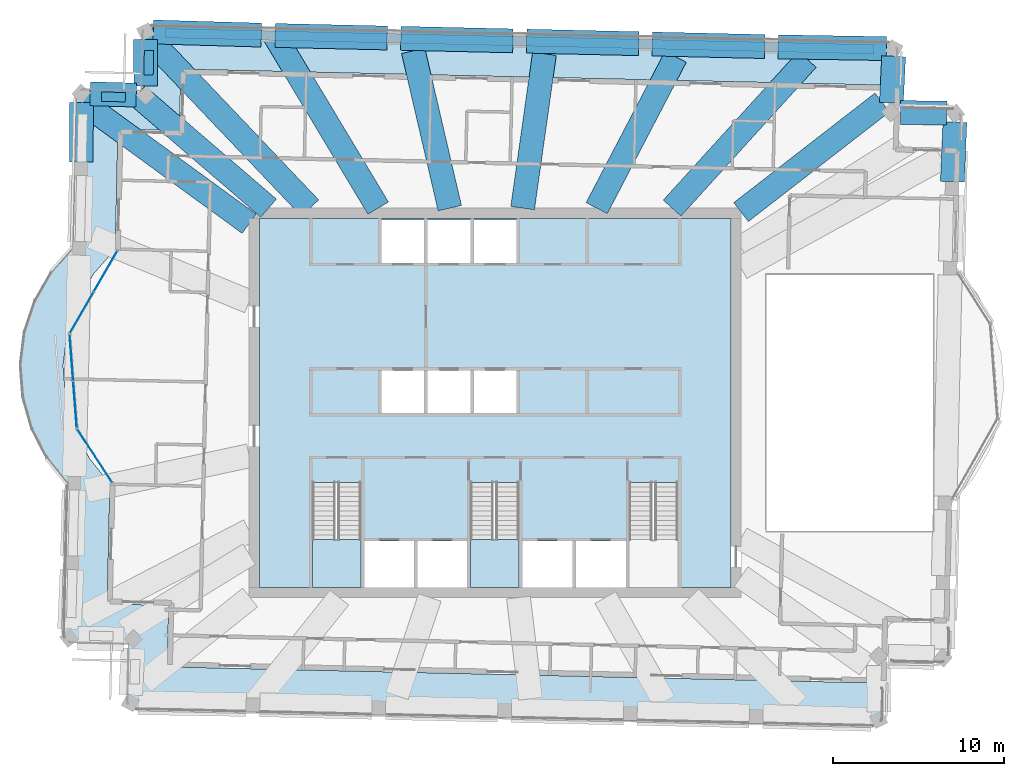
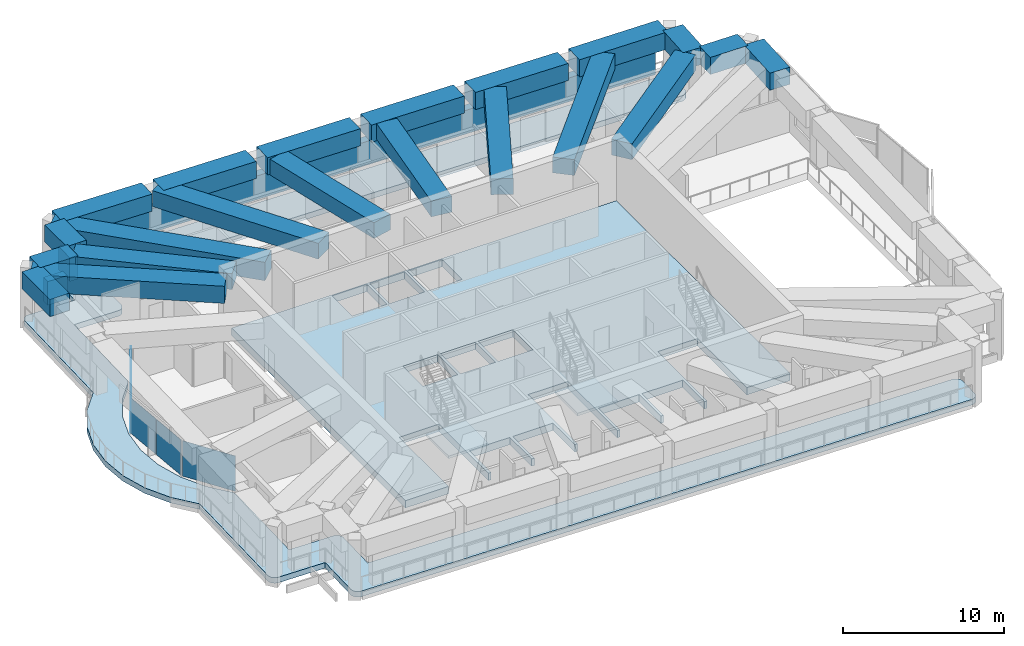
# One storey, part 7 of 19: 21 beams, 5 plates, 4 slabs, 3 members, 5 elements without a shape of their own.
"""IFC4 building model written with IfcOpenShell, lengths in metres."""

from ifc_helpers import new_model, si_unit, direction, frame, origin, origin_2d, place, context, subcontext, project, spatial, polyline, rectangle, outline, extrude, material, layer, layer_set, material_profile, profile_set, type_object, element, aggregate, save


model = new_model("IFC4")

# Units and contexts
model_context = context("Model", 3, precision=1e-05, world=origin(), true_north=direction((0.0, 1.0)))
body_context = subcontext(model_context, "Body", "Model", "MODEL_VIEW")
ifc_project = project(units=[si_unit("LENGTHUNIT", "METRE"), si_unit("AREAUNIT", "SQUARE_METRE"), si_unit("VOLUMEUNIT", "CUBIC_METRE"), si_unit("PLANEANGLEUNIT", "RADIAN"), si_unit("MASSUNIT", "GRAM", prefix="KILO")], contexts=[model_context])

# Site, building, storey
site_placement = place(None, origin())
site = spatial("IfcSite", under=ifc_project, at=site_placement, CompositionType="ELEMENT")
building_placement = place(site_placement, origin())
building = spatial("IfcBuilding", under=site, at=building_placement, Name="Mangrove Gate Tower", CompositionType="ELEMENT")
storey_placement = place(building_placement, frame((0.0, 0.0, 346.10009765625)))
storey = spatial("IfcBuildingStorey", under=building, at=storey_placement, Name="L88", CompositionType="ELEMENT", Elevation=346.10009765625)

# Members
ifc_material_1 = material(Name="Planting on aluminium trellis", Category="aluminium")
ifc_material_profile_1 = material_profile(ifc_material_1, rectangle(XDim=0.550048828125, YDim=1.800048828125, at=origin_2d()))
ifc_profile_set_1 = profile_set([ifc_material_profile_1], Name="Planting on aluminium trellis")
member_type = type_object("IfcMemberType", Name="Roof greenery screen 550x1800", PredefinedType="USERDEFINED", material=ifc_profile_set_1)
member_1_placement = place(storey_placement, frame((-23.035888671875, 17.925048828125, 1.699951171875), z_axis=(0.999750215708, -0.022349635169, 0.0), x_axis=(0.022349635169, 0.999750215708, 0.0)))
element("IfcMember", 1, at=member_1_placement, inside=storey, type_object=member_type, Name="GREEN SCREEN L88 T3.2.6", ObjectType="PLANTING", PredefinedType="USERDEFINED", context=body_context, shape_type="SweptSolid", body=[
    extrude(rectangle(XDim=0.550048828125, YDim=1.800048828125, at=origin_2d()), origin(), (0.0, 0.0, 1.0), 1.38720703125),
])
member_2_placement = place(storey_placement, frame((-20.2919921875, 19.19091796875, 1.699951171875), z_axis=(0.022929749512, 0.99973707873, 0.0), x_axis=(-0.99973707873, 0.022929749512, 0.0)))
element("IfcMember", 2, at=member_2_placement, inside=storey, type_object=member_type, Name="GREEN SCREEN L88 T3.2.9", ObjectType="PLANTING", PredefinedType="USERDEFINED", context=body_context, shape_type="SweptSolid", body=[
    extrude(rectangle(XDim=0.550048828125, YDim=1.800048828125, at=origin_2d()), origin(), (0.0, 0.0, 1.0), 1.4375),
])
member_3_placement = place(storey_placement, frame((-19.301025390625, 21.64208984375, 1.699951171875), z_axis=(0.999742269674, -0.022702295639, 0.0), x_axis=(0.022702295639, 0.999742269674, 0.0)))
element("IfcMember", 3, at=member_3_placement, inside=storey, type_object=member_type, Name="GREEN SCREEN L88 T3.3.6", ObjectType="PLANTING", PredefinedType="USERDEFINED", context=body_context, shape_type="SweptSolid", body=[
    extrude(rectangle(XDim=0.550048828125, YDim=1.800048828125, at=origin_2d()), origin(), (0.0, 0.0, 1.0), 41.499755859375),
])

# Beams
ifc_material_2 = material(Name="Concrete C50/60", Category="concrete")
ifc_material_profile_2 = material_profile(ifc_material_2, rectangle(XDim=1.39990234375, YDim=1.199951171875, at=origin_2d()))
ifc_profile_set_2 = profile_set([ifc_material_profile_2], Name="Concrete C50/60")
beam_type_1 = type_object("IfcBeamType", Name="Transfer girder RC 1400x1200 C50/60", PredefinedType="BEAM", material=ifc_profile_set_2)
beam_1_placement = place(storey_placement, frame((14.39990234375, 11.170166015625, 3.449951171875), z_axis=(0.790143012808, 0.61292252309, 0.0), x_axis=(-0.61292252309, 0.790143012808, 0.0)))
element("IfcBeam", 4, at=beam_1_placement, inside=storey, type_object=beam_type_1, Name="Transfer girder L88 16", PredefinedType="BEAM", context=body_context, shape_type="SweptSolid", body=[
    extrude(rectangle(XDim=1.39990234375, YDim=1.199951171875, at=origin_2d()), origin(), (0.0, 0.0, 1.0), 10.46435546875),
])
beam_2_placement = place(storey_placement, frame((10.35986328125, 11.39990234375, 3.449951171875), z_axis=(0.672544772155, 0.740056436664, 0.0), x_axis=(-0.740056436664, 0.672544772155, 0.0)))
element("IfcBeam", 5, at=beam_2_placement, inside=storey, type_object=beam_type_1, Name="Transfer girder L88 17", PredefinedType="BEAM", context=body_context, shape_type="SweptSolid", body=[
    extrude(rectangle(XDim=1.39990234375, YDim=1.199951171875, at=origin_2d()), origin(), (0.0, 0.0, 1.0), 11.77099609375),
])
beam_3_placement = place(storey_placement, frame((5.947998046875, 11.39990234375, 3.449951171875), z_axis=(0.462574354247, 0.886580490871, 0.0), x_axis=(-0.886580490871, 0.462574354247, 0.0)))
element("IfcBeam", 6, at=beam_3_placement, inside=storey, type_object=beam_type_1, Name="Transfer girder L88 18", PredefinedType="BEAM", context=body_context, shape_type="SweptSolid", body=[
    extrude(rectangle(XDim=1.39990234375, YDim=1.199951171875, at=origin_2d()), origin(), (0.0, 0.0, 1.0), 9.9951171875),
])
beam_4_placement = place(storey_placement, frame((1.611083984375, 11.39990234375, 3.449951171875), z_axis=(0.139934658505, 0.990160740157, 0.0), x_axis=(-0.990160740157, 0.139934658505, 0.0)))
element("IfcBeam", 7, at=beam_4_placement, inside=storey, type_object=beam_type_1, Name="Transfer girder L88 19", PredefinedType="BEAM", context=body_context, shape_type="SweptSolid", body=[
    extrude(rectangle(XDim=1.39990234375, YDim=1.199951171875, at=origin_2d()), origin(), (0.0, 0.0, 1.0), 9.128173828125),
])
beam_5_placement = place(storey_placement, frame((-2.65234375, 11.39990234375, 3.449951171875), z_axis=(-0.226618296378, 0.973983648603, 0.0), x_axis=(-0.973983648603, -0.226618296378, 0.0)))
element("IfcBeam", 8, at=beam_5_placement, inside=storey, type_object=beam_type_1, Name="Transfer girder L88 20", PredefinedType="BEAM", context=body_context, shape_type="SweptSolid", body=[
    extrude(rectangle(XDim=1.39990234375, YDim=1.199951171875, at=origin_2d()), origin(), (0.0, 0.0, 1.0), 9.456787109375),
])
beam_6_placement = place(storey_placement, frame((-6.843994140625, 11.39990234375, 3.449951171875), z_axis=(-0.514727090043, 0.857354082498, 0.0), x_axis=(-0.857354082498, -0.514727090043, 0.0)))
element("IfcBeam", 9, at=beam_6_placement, inside=storey, type_object=beam_type_1, Name="Transfer girder L88 21", PredefinedType="BEAM", context=body_context, shape_type="SweptSolid", body=[
    extrude(rectangle(XDim=1.39990234375, YDim=1.199951171875, at=origin_2d()), origin(), (0.0, 0.0, 1.0), 11.794189453125),
])
beam_7_placement = place(storey_placement, frame((-13.261962890625, 11.39990234375, 3.449951171875), z_axis=(-0.758323397328, 0.651878535515, 0.0), x_axis=(-0.651878535515, -0.758323397328, 0.0)))
element("IfcBeam", 10, at=beam_7_placement, inside=storey, type_object=beam_type_1, Name="Transfer girder L88 23", PredefinedType="BEAM", context=body_context, shape_type="SweptSolid", body=[
    extrude(rectangle(XDim=1.39990234375, YDim=1.199951171875, at=origin_2d()), origin(), (0.0, 0.0, 1.0), 10.146728515625),
])
ifc_material_3 = material(Name="Concrete C50/60", Category="concrete")
ifc_material_profile_3 = material_profile(ifc_material_3, rectangle(XDim=1.39990234375, YDim=1.300048828125, at=origin_2d()))
ifc_profile_set_3 = profile_set([ifc_material_profile_3], Name="Concrete C50/60")
beam_type_2 = type_object("IfcBeamType", Name="Transfer girder RC 1400x1300 C50/60", PredefinedType="BEAM", material=ifc_profile_set_3)
beam_8_placement = place(storey_placement, frame((26.771240234375, 12.94677734375, 3.39990234375), z_axis=(0.043148447171, 0.999068672068, 0.0), x_axis=(-0.999068672068, 0.043148447171, 0.0)))
element("IfcBeam", 11, at=beam_8_placement, inside=storey, type_object=beam_type_2, Name="Transfer ring girder L88 16", PredefinedType="BEAM", context=body_context, shape_type="SweptSolid", body=[
    extrude(rectangle(XDim=1.39990234375, YDim=1.300048828125, at=origin_2d()), origin(), (0.0, 0.0, 1.0), 3.4853515625),
])
beam_9_placement = place(storey_placement, frame((26.431640625, 16.9609375, 3.39990234375), z_axis=(-0.999892627971, 0.014653754816, 0.0), x_axis=(-0.014653754816, -0.999892627971, 0.0)))
element("IfcBeam", 12, at=beam_9_placement, inside=storey, type_object=beam_type_2, Name="Transfer ring girder L88 17", PredefinedType="BEAM", context=body_context, shape_type="SweptSolid", body=[
    extrude(rectangle(XDim=1.39990234375, YDim=1.300048828125, at=origin_2d()), origin(), (0.0, 0.0, 1.0), 2.698974609375),
])
beam_10_placement = place(storey_placement, frame((23.198974609375, 17.55908203125, 3.39990234375), z_axis=(0.049305011635, 0.998783768304, 0.0), x_axis=(-0.998783768304, 0.049305011635, 0.0)))
element("IfcBeam", 13, at=beam_10_placement, inside=storey, type_object=beam_type_2, Name="Transfer ring girder L88 18", PredefinedType="BEAM", context=body_context, shape_type="SweptSolid", body=[
    extrude(rectangle(XDim=1.39990234375, YDim=1.300048828125, at=origin_2d()), origin(), (0.0, 0.0, 1.0), 2.7333984375),
])
beam_11_placement = place(storey_placement, frame((22.904052734375, 20.740234375, 3.39990234375), z_axis=(-0.999861867295, 0.016620659704, 0.0), x_axis=(-0.016620659704, -0.999861867295, 0.0)))
element("IfcBeam", 14, at=beam_11_placement, inside=storey, type_object=beam_type_2, Name="Transfer ring girder L88 19", PredefinedType="BEAM", context=body_context, shape_type="SweptSolid", body=[
    extrude(rectangle(XDim=1.39990234375, YDim=1.300048828125, at=origin_2d()), origin(), (0.0, 0.0, 1.0), 6.3310546875),
])
for number, where, z_axis, x_axis, name in (
    (15, (15.77392578125, 20.861083984375, 3.39990234375), (-0.99974281348, 0.022678335362, 0.0), (-0.022678335362, -0.99974281348, 0.0), "Transfer ring girder L88 20"),
    (16, (8.408935546875, 21.028076171875, 3.39990234375), (-0.99974281348, 0.022678335362, 0.0), (-0.022678335362, -0.99974281348, 0.0), "Transfer ring girder L88 21"),
    (17, (1.0439453125, 21.195068359375, 3.39990234375), (-0.99974281348, 0.022678335362, 0.0), (-0.022678335362, -0.99974281348, 0.0), "Transfer ring girder L88 22"),
):
    element("IfcBeam", number, at=place(storey_placement, frame(where, z_axis=z_axis, x_axis=x_axis)), inside=storey, type_object=beam_type_2, Name=name, PredefinedType="BEAM", context=body_context, shape_type="SweptSolid", body=[
        extrude(rectangle(XDim=1.39990234375, YDim=1.300048828125, at=origin_2d()), origin(), (0.0, 0.0, 1.0), 6.56689453125),
    ])
beam_12_placement = place(storey_placement, frame((-6.321044921875, 21.362060546875, 3.39990234375), z_axis=(-0.99974273698, 0.0226817075, 0.0), x_axis=(-0.0226817075, -0.99974273698, 0.0)))
element("IfcBeam", 18, at=beam_12_placement, inside=storey, type_object=beam_type_2, Name="Transfer ring girder L88 23", PredefinedType="BEAM", context=body_context, shape_type="SweptSolid", body=[
    extrude(rectangle(XDim=1.39990234375, YDim=1.300048828125, at=origin_2d()), origin(), (0.0, 0.0, 1.0), 6.56591796875),
])
beam_13_placement = place(storey_placement, frame((-13.684814453125, 21.53173828125, 3.39990234375), z_axis=(-0.999584059567, 0.028839345698, 0.0), x_axis=(-0.028839345698, -0.999584059567, 0.0)))
element("IfcBeam", 19, at=beam_13_placement, inside=storey, type_object=beam_type_2, Name="Transfer ring girder L88 24", PredefinedType="BEAM", context=body_context, shape_type="SweptSolid", body=[
    extrude(rectangle(XDim=1.39990234375, YDim=1.300048828125, at=origin_2d()), origin(), (0.0, 0.0, 1.0), 6.332275390625),
])
beam_14_placement = place(storey_placement, frame((-20.4638671875, 21.283447265625, 3.39990234375), z_axis=(0.00401926014, -0.999991922741, 0.0), x_axis=(0.999991922741, 0.00401926014, 0.0)))
element("IfcBeam", 20, at=beam_14_placement, inside=storey, type_object=beam_type_2, Name="Transfer ring girder L88 25", PredefinedType="BEAM", context=body_context, shape_type="SweptSolid", body=[
    extrude(rectangle(XDim=1.39990234375, YDim=1.300048828125, at=origin_2d()), origin(), (0.0, 0.0, 1.0), 2.7333984375),
])
beam_15_placement = place(storey_placement, frame((-21.011474609375, 18.01611328125, 3.39990234375), z_axis=(-0.999532507958, 0.030573935538, 0.0), x_axis=(-0.030573935538, -0.999532507958, 0.0)))
element("IfcBeam", 21, at=beam_15_placement, inside=storey, type_object=beam_type_2, Name="Transfer ring girder L88 26", PredefinedType="BEAM", context=body_context, shape_type="SweptSolid", body=[
    extrude(rectangle(XDim=1.39990234375, YDim=1.300048828125, at=origin_2d()), origin(), (0.0, 0.0, 1.0), 2.698974609375),
])
beam_16_placement = place(storey_placement, frame((-24.222900390625, 17.58935546875, 3.39990234375), z_axis=(-0.002381612747, -0.999997163956, 0.0), x_axis=(0.999997163956, -0.002381612747, 0.0)))
element("IfcBeam", 22, at=beam_16_placement, inside=storey, type_object=beam_type_2, Name="Transfer ring girder L88 27", PredefinedType="BEAM", context=body_context, shape_type="SweptSolid", body=[
    extrude(rectangle(XDim=1.39990234375, YDim=1.300048828125, at=origin_2d()), origin(), (0.0, 0.0, 1.0), 3.4853515625),
])
beam_17_placement = place(storey_placement, frame((-14.39990234375, 10.489990234375, 3.39990234375), z_axis=(-0.808284982113, 0.58879146367, 0.0), x_axis=(-0.58879146367, -0.808284982113, 0.0)))
element("IfcBeam", 23, at=beam_17_placement, inside=storey, type_object=beam_type_2, Name="Transfer girder L88 24", PredefinedType="BEAM", context=body_context, shape_type="SweptSolid", body=[
    extrude(rectangle(XDim=1.39990234375, YDim=1.300048828125, at=origin_2d()), origin(), (0.0, 0.0, 1.0), 12.15283203125),
])
ifc_material_4 = material(Name="Concrete C50/60", Category="concrete")
ifc_material_profile_4 = material_profile(ifc_material_4, rectangle(XDim=1.39990234375, YDim=1.39990234375, at=origin_2d()))
ifc_profile_set_4 = profile_set([ifc_material_profile_4], Name="Concrete C50/60")
beam_type_3 = type_object("IfcBeamType", Name="Transfer girder RC 1400x1400 C50/60", PredefinedType="BEAM", material=ifc_profile_set_4)
beam_18_placement = place(storey_placement, frame((-10.834228515625, 11.39990234375, 3.349853515625), z_axis=(-0.688890351776, 0.724865562177, 0.0), x_axis=(-0.724865562177, -0.688890351776, 0.0)))
element("IfcBeam", 24, at=beam_18_placement, inside=storey, type_object=beam_type_3, Name="Transfer girder L88 22", PredefinedType="BEAM", context=body_context, shape_type="SweptSolid", body=[
    extrude(rectangle(XDim=1.39990234375, YDim=1.39990234375, at=origin_2d()), origin(), (0.0, 0.0, 1.0), 13.97998046875),
])

# Slab
ifc_material_5 = material(Name="Concrete C40/50", Category="concrete")
ifc_layer_1 = layer(ifc_material_5, 0.550048828125)
ifc_layer_set_1 = layer_set([ifc_layer_1], Name="Core floor slab 550 C40/50")
slab_type_1 = type_object("IfcSlabType", Name="Core floor slab 550 C40/50", PredefinedType="FLOOR", material=ifc_layer_set_1)
slab_1_placement = place(storey_placement, frame((0.0, 0.0, -0.550048828125)))
element("IfcSlab", 25, at=slab_1_placement, inside=storey, type_object=slab_type_1, Name="SLAB-L88-CORE-1", PredefinedType="FLOOR", context=body_context, shape_type="SweptSolid", body=[
    extrude(outline(polyline([(-13.800048828125, -10.800048828125), (-13.800048828125, 10.800048828125), (13.800048828125, 10.800048828125), (13.800048828125, -10.800048828125), (10.699951171875, -10.800048828125), (10.699951171875, -4.653076171875), (7.85009765625, -4.653076171875), (7.85009765625, -10.800048828125), (7.64990234375, -10.800048828125), (7.64990234375, -8.10009765625), (4.72509765625, -8.10009765625), (4.72509765625, -10.800048828125), (4.52490234375, -10.800048828125), (4.52490234375, -8.10009765625), (1.60009765625, -8.10009765625), (1.60009765625, -10.800048828125), (1.39990234375, -10.800048828125), (1.39990234375, -4.653076171875), (-1.449951171875, -4.653076171875), (-1.449951171875, -10.800048828125), (-1.64990234375, -10.800048828125), (-1.64990234375, -8.10009765625), (-4.550048828125, -8.10009765625), (-4.550048828125, -10.800048828125), (-4.75, -10.800048828125), (-4.75, -8.10009765625), (-7.64990234375, -8.10009765625), (-7.64990234375, -10.800048828125), (-7.85009765625, -10.800048828125), (-7.85009765625, -4.653076171875), (-10.699951171875, -4.653076171875), (-10.699951171875, -10.800048828125), (-13.800048828125, -10.800048828125)]), holes=[polyline([(-4.14990234375, 1.89990234375), (-6.64990234375, 1.89990234375), (-6.64990234375, -0.60009765625), (-4.14990234375, -0.60009765625), (-4.14990234375, 1.89990234375)]), polyline([(-1.449951171875, -0.60009765625), (-1.449951171875, 1.89990234375), (-3.949951171875, 1.89990234375), (-3.949951171875, -0.60009765625), (-1.449951171875, -0.60009765625)]), polyline([(-4.14990234375, 8.199951171875), (-4.14990234375, 10.699951171875), (-6.64990234375, 10.699951171875), (-6.64990234375, 8.199951171875), (-4.14990234375, 8.199951171875)]), polyline([(-1.449951171875, 10.699951171875), (-3.949951171875, 10.699951171875), (-3.949951171875, 8.199951171875), (-1.449951171875, 8.199951171875), (-1.449951171875, 10.699951171875)]), polyline([(1.25, -0.60009765625), (1.25, 1.89990234375), (-1.25, 1.89990234375), (-1.25, -0.60009765625), (1.25, -0.60009765625)]), polyline([(1.25, 8.199951171875), (1.25, 10.699951171875), (-1.25, 10.699951171875), (-1.25, 8.199951171875), (1.25, 8.199951171875)])]), origin(), (0.0, 0.0, 1.0), 0.550048828125),
])

# Stair, slab
ifc_material_6 = material(Name="Concrete C40/50", Category="concrete")
stair_type = type_object("IfcStairType", Name="Core stair 1350", PredefinedType="HALF_TURN_STAIR", material=ifc_material_6)
stair_1_placement = place(storey_placement, origin())
stair_1 = element("IfcStair", 26, at=stair_1_placement, inside=storey, type_object=stair_type, Name="L88 Stair 1", PredefinedType="HALF_TURN_STAIR")
ifc_material_7 = material(Name="Concrete C40/50", Category="concrete")
ifc_layer_2 = layer(ifc_material_7, 0.199951171875)
ifc_layer_set_2 = layer_set([ifc_layer_2], Name="Core stair landing 200")
slab_type_2 = type_object("IfcSlabType", Name="Core stair landing 200", PredefinedType="LANDING", material=ifc_layer_set_2)
slab_2_placement = place(storey_placement, frame((0.0, 0.0, 2.099853515625)))
slab_2 = element("IfcSlab", 27, at=slab_2_placement, type_object=slab_type_2, Name="ST1 landing 1", PredefinedType="LANDING", context=body_context, shape_type="SweptSolid", body=[
    extrude(outline(polyline([(-10.699951171875, -8.010009765625), (-10.699951171875, -10.800048828125), (-7.85009765625, -10.800048828125), (-7.85009765625, -8.010009765625), (-10.699951171875, -8.010009765625)])), origin(), (0.0, 0.0, 1.0), 0.199951171875),
])
aggregate(stair_1, [slab_2])

stair_2_placement = place(storey_placement, origin())
stair_2 = element("IfcStair", 28, at=stair_2_placement, inside=storey, type_object=stair_type, Name="L88 Stair 2", PredefinedType="HALF_TURN_STAIR")
slab_3_placement = place(storey_placement, frame((0.0, 0.0, 2.099853515625)))
slab_3 = element("IfcSlab", 29, at=slab_3_placement, type_object=slab_type_2, Name="ST2 landing 1", PredefinedType="LANDING", context=body_context, shape_type="SweptSolid", body=[
    extrude(outline(polyline([(-1.449951171875, -8.010009765625), (-1.449951171875, -10.800048828125), (1.39990234375, -10.800048828125), (1.39990234375, -8.010009765625), (-1.449951171875, -8.010009765625)])), origin(), (0.0, 0.0, 1.0), 0.199951171875),
])
aggregate(stair_2, [slab_3])

# Curtain wall, plates
ifc_material_8 = material(Name="Aluminium and glass curtain wall", Category="aluminium")
curtain_wall_type = type_object("IfcCurtainWallType", Name="Crown garden glazing wall", PredefinedType="NOTDEFINED", material=ifc_material_8)
curtain_wall_1_placement = place(storey_placement, origin())
curtain_wall_1 = element("IfcCurtainWall", 30, at=curtain_wall_1_placement, inside=storey, type_object=curtain_wall_type, Name="Crown garden glazing W9f1", PredefinedType="NOTDEFINED")
ifc_material_9 = material(Name="Laminated low-e glass", Category="glass")
ifc_layer_3 = layer(ifc_material_9, 0.02587890625)
ifc_layer_set_3 = layer_set([ifc_layer_3], Name="Crown garden glazing panel 26")
plate_type = type_object("IfcPlateType", Name="Crown garden glazing panel 26", PredefinedType="CURTAIN_PANEL", material=ifc_layer_set_3)
plate_1_placement = place(storey_placement, frame((-22.80322265625, 7.703369140625, 0.0), z_axis=(0.0, 0.0, 1.0), x_axis=(-0.500418160284, -0.865783844189, 0.0)))
plate_1 = element("IfcPlate", 31, at=plate_1_placement, type_object=plate_type, Name="CWC panel 1.1", PredefinedType="CURTAIN_PANEL", context=body_context, shape_type="SweptSolid", body=[
    extrude(rectangle(XDim=2.73095703125, YDim=0.02587890625, at=origin_2d()), origin(), (0.0, 0.0, 1.0), 2.68994140625),
])
plate_2_placement = place(storey_placement, frame((-24.199951171875, 5.287109375, 0.0), z_axis=(0.0, 0.0, 1.0), x_axis=(-0.500418160284, -0.865783844189, 0.0)))
plate_2 = element("IfcPlate", 32, at=plate_2_placement, type_object=plate_type, Name="CWC panel 2.1", PredefinedType="CURTAIN_PANEL", context=body_context, shape_type="SweptSolid", body=[
    extrude(rectangle(XDim=2.73095703125, YDim=0.02587890625, at=origin_2d()), origin(), (0.0, 0.0, 1.0), 2.68994140625),
])
aggregate(curtain_wall_1, [plate_1, plate_2])

curtain_wall_2_placement = place(storey_placement, origin())
curtain_wall_2 = element("IfcCurtainWall", 33, at=curtain_wall_2_placement, inside=storey, type_object=curtain_wall_type, Name="Crown garden glazing W9f2", PredefinedType="NOTDEFINED")
plate_3_placement = place(storey_placement, frame((-24.8046875, 2.648681640625, 0.0), z_axis=(0.0, 0.0, 1.0), x_axis=(0.077023348403, -0.997029289339, 0.0)))
plate_3 = element("IfcPlate", 34, at=plate_3_placement, type_object=plate_type, Name="CWC panel 1.1", PredefinedType="CURTAIN_PANEL", context=body_context, shape_type="SweptSolid", body=[
    extrude(rectangle(XDim=2.69677734375, YDim=0.02587890625, at=origin_2d()), origin(), (0.0, 0.0, 1.0), 2.68994140625),
])
plate_4_placement = place(storey_placement, frame((-24.59228515625, -0.099853515625, 0.0), z_axis=(0.0, 0.0, 1.0), x_axis=(0.077023348403, -0.997029289339, 0.0)))
plate_4 = element("IfcPlate", 35, at=plate_4_placement, type_object=plate_type, Name="CWC panel 2.1", PredefinedType="CURTAIN_PANEL", context=body_context, shape_type="SweptSolid", body=[
    extrude(rectangle(XDim=2.69677734375, YDim=0.02587890625, at=origin_2d()), origin(), (0.0, 0.0, 1.0), 2.68994140625),
])
aggregate(curtain_wall_2, [plate_3, plate_4])

# Curtain wall, plate
curtain_wall_3_placement = place(storey_placement, origin())
curtain_wall_3 = element("IfcCurtainWall", 36, at=curtain_wall_3_placement, inside=storey, type_object=curtain_wall_type, Name="Crown garden glazing W9f3", PredefinedType="NOTDEFINED")
plate_5_placement = place(storey_placement, frame((-23.441650390625, -3.102294921875, 0.0), z_axis=(0.0, 0.0, 1.0), x_axis=(0.546235085045, -0.837631919083, 0.0)))
plate_5 = element("IfcPlate", 37, at=plate_5_placement, type_object=plate_type, Name="CWC panel 1.1", PredefinedType="CURTAIN_PANEL", context=body_context, shape_type="SweptSolid", body=[
    extrude(rectangle(XDim=3.696044921875, YDim=0.02587890625, at=origin_2d()), origin(), (0.0, 0.0, 1.0), 2.68994140625),
])
aggregate(curtain_wall_3, [plate_5])

# Slab
ifc_material_10 = material(Name="Granite", Category="masonry")
ifc_layer_4 = layer(ifc_material_10, 0.030029296875, Name="Granite paving")
ifc_material_11 = material(Name="Cement sand screed")
ifc_layer_5 = layer(ifc_material_11, 0.0400390625, Name="Bedding screed")
ifc_material_12 = material(Name="Bituminous waterproofing membrane")
ifc_layer_6 = layer(ifc_material_12, 0.0048828125, Name="Waterproofing")
ifc_material_13 = material(Name="Extruded polystyrene insulation")
ifc_layer_7 = layer(ifc_material_13, 0.0400390625, Name="Insulation")
ifc_material_14 = material(Name="Concrete C40/50", Category="concrete")
ifc_layer_8 = layer(ifc_material_14, 0.304931640625, Name="Terrace structural slab")
ifc_layer_set_4 = layer_set([ifc_layer_4, ifc_layer_5, ifc_layer_6, ifc_layer_7, ifc_layer_8], Name="Terrace slab C40/50")
slab_type_3 = type_object("IfcSlabType", Name="Terrace slab C40/50", PredefinedType="FLOOR", material=ifc_layer_set_4)
slab_4_placement = place(storey_placement, frame((0.0, 0.0, -0.420166015625)))
element("IfcSlab", 38, at=slab_4_placement, inside=storey, type_object=slab_type_3, Name="TERRACE L88 3", PredefinedType="FLOOR", context=body_context, shape_type="SweptSolid", body=[
    extrude(outline(polyline([(-25.051025390625, -4.695068359375), (-25.050048828125, -4.70703125), (-25.25, -13.51708984375), (-25.2490234375, -13.56591796875), (-25.242919921875, -13.614990234375), (-25.23193359375, -13.6630859375), (-25.216064453125, -13.7099609375), (-25.197021484375, -13.75390625), (-25.172119140625, -13.797119140625), (-25.14404296875, -13.8369140625), (-25.112060546875, -13.8740234375), (-25.075927734375, -13.907958984375), (-25.037109375, -13.93798828125), (-24.99609375, -13.964111328125), (-24.951904296875, -13.986083984375), (-24.906005859375, -14.00390625), (-24.85888671875, -14.01708984375), (-24.81103515625, -14.02490234375), (-24.761962890625, -14.029052734375), (-21.47509765625, -14.10302734375), (-21.462890625, -14.10400390625), (-21.462890625, -14.115966796875), (-21.537109375, -17.403076171875), (-21.535888671875, -17.451904296875), (-21.530029296875, -17.5), (-21.51904296875, -17.548095703125), (-21.50390625, -17.594970703125), (-21.48388671875, -17.639892578125), (-21.458984375, -17.681884765625), (-21.430908203125, -17.721923828125), (-21.39892578125, -17.759033203125), (-21.363037109375, -17.79296875), (-21.324951171875, -17.822998046875), (-21.282958984375, -17.84912109375), (-21.239013671875, -17.87109375), (-21.193115234375, -17.888916015625), (-21.14599609375, -17.902099609375), (-21.097900390625, -17.909912109375), (-21.049072265625, -17.9140625), (22.139892578125, -18.89404296875), (22.18896484375, -18.89306640625), (22.238037109375, -18.885986328125), (22.285888671875, -18.8759765625), (22.33203125, -18.860107421875), (22.376953125, -18.840087890625), (22.419921875, -18.81591796875), (22.4599609375, -18.7880859375), (22.4970703125, -18.7548828125), (22.531005859375, -18.719970703125), (22.56103515625, -18.680908203125), (22.5869140625, -18.639892578125), (22.60888671875, -18.595947265625), (22.6259765625, -18.550048828125), (22.638916015625, -18.5029296875), (22.64794921875, -18.4541015625), (22.65087890625, -18.405029296875), (22.68505859375, -16.906005859375), (22.68408203125, -16.85693359375), (22.677978515625, -16.80810546875), (22.6669921875, -16.760009765625), (22.652099609375, -16.714111328125), (22.632080078125, -16.6689453125), (22.60693359375, -16.6259765625), (22.5791015625, -16.5859375), (22.547119140625, -16.549072265625), (22.510986328125, -16.514892578125), (22.472900390625, -16.485107421875), (22.430908203125, -16.458984375), (22.386962890625, -16.43701171875), (22.341064453125, -16.4189453125), (22.2939453125, -16.406005859375), (22.24609375, -16.39794921875), (22.197021484375, -16.39501953125), (-19.179931640625, -15.4560546875), (-19.19189453125, -15.455078125), (-19.19189453125, -15.443115234375), (-19.1220703125, -12.35595703125), (-19.1240234375, -12.306884765625), (-19.1298828125, -12.258056640625), (-19.14111328125, -12.2099609375), (-19.156005859375, -12.1640625), (-19.176025390625, -12.118896484375), (-19.199951171875, -12.075927734375), (-19.22900390625, -12.035888671875), (-19.260986328125, -11.9990234375), (-19.2958984375, -11.966064453125), (-19.3349609375, -11.93505859375), (-19.3759765625, -11.908935546875), (-19.419921875, -11.886962890625), (-19.466064453125, -11.8701171875), (-19.512939453125, -11.85693359375), (-19.56201171875, -11.847900390625), (-19.611083984375, -11.844970703125), (-22.697998046875, -11.77490234375), (-22.708984375, -11.77392578125), (-22.7099609375, -11.761962890625), (-22.554931640625, -4.93408203125), (-22.555908203125, -4.884033203125), (-22.56201171875, -4.833984375), (-22.573974609375, -4.785888671875), (-22.590087890625, -4.739013671875), (-22.610107421875, -4.693115234375), (-22.635009765625, -4.64990234375), (-22.6650390625, -4.610107421875), (-23.739013671875, -3.26904296875), (-23.7470703125, -3.259033203125), (-23.7529296875, -3.248046875), (-24.617919921875, -1.571044921875), (-24.623046875, -1.55908203125), (-24.626953125, -1.547119140625), (-25.14306640625, 0.26904296875), (-25.14599609375, 0.281005859375), (-25.14794921875, 0.29296875), (-25.29296875, 2.175048828125), (-25.29296875, 2.18798828125), (-25.2919921875, 2.199951171875), (-25.06201171875, 4.073974609375), (-25.06005859375, 4.0859375), (-25.055908203125, 4.097900390625), (-24.458984375, 5.888916015625), (-24.4541015625, 5.89990234375), (-24.448974609375, 5.910888671875), (-23.508056640625, 7.548095703125), (-23.5009765625, 7.55908203125), (-23.492919921875, 7.568115234375), (-22.35888671875, 8.85888671875), (-22.327880859375, 8.89794921875), (-22.301025390625, 8.93994140625), (-22.278076171875, 8.98388671875), (-22.260009765625, 9.031005859375), (-22.2470703125, 9.0791015625), (-22.238037109375, 9.1279296875), (-22.235107421875, 9.177001953125), (-22.080078125, 16.006103515625), (-22.0791015625, 16.01806640625), (-22.06689453125, 16.01806640625), (-18.97998046875, 15.947998046875), (-18.930908203125, 15.948974609375), (-18.882080078125, 15.955078125), (-18.833984375, 15.966064453125), (-18.7880859375, 15.98193359375), (-18.742919921875, 16.001953125), (-18.699951171875, 16.02587890625), (-18.659912109375, 16.053955078125), (-18.623046875, 16.0859375), (-18.590087890625, 16.1220703125), (-18.55908203125, 16.160888671875), (-18.532958984375, 16.201904296875), (-18.510986328125, 16.24609375), (-18.493896484375, 16.2919921875), (-18.48095703125, 16.339111328125), (-18.471923828125, 16.387939453125), (-18.468994140625, 16.43701171875), (-18.39892578125, 19.52294921875), (-18.39794921875, 19.534912109375), (-18.385986328125, 19.534912109375), (22.990966796875, 18.595947265625), (23.0400390625, 18.597900390625), (23.089111328125, 18.60400390625), (23.135986328125, 18.614990234375), (23.18310546875, 18.6298828125), (23.22802734375, 18.64990234375), (23.27001953125, 18.674072265625), (23.31005859375, 18.702880859375), (23.347900390625, 18.735107421875), (23.381103515625, 18.77001953125), (23.410888671875, 18.80908203125), (23.43798828125, 18.85107421875), (23.4599609375, 18.89501953125), (23.47705078125, 18.93994140625), (23.489990234375, 18.988037109375), (23.498046875, 19.035888671875), (23.501953125, 19.0849609375), (23.535888671875, 20.5849609375), (23.534912109375, 20.634033203125), (23.529052734375, 20.681884765625), (23.51806640625, 20.72998046875), (23.501953125, 20.777099609375), (23.48193359375, 20.822021484375), (23.4580078125, 20.864013671875), (23.429931640625, 20.904052734375), (23.39794921875, 20.94091796875), (23.362060546875, 20.97509765625), (23.322998046875, 21.0048828125), (23.281982421875, 21.031005859375), (23.238037109375, 21.052978515625), (23.19189453125, 21.071044921875), (23.14501953125, 21.083984375), (23.095947265625, 21.092041015625), (23.048095703125, 21.095947265625), (-20.14111328125, 22.075927734375), (-20.18994140625, 22.074951171875), (-20.239013671875, 22.069091796875), (-20.287109375, 22.05810546875), (-20.333984375, 22.0419921875), (-20.3779296875, 22.02197265625), (-20.4208984375, 21.998046875), (-20.4609375, 21.969970703125), (-20.498046875, 21.93798828125), (-20.531982421875, 21.902099609375), (-20.56201171875, 21.863037109375), (-20.587890625, 21.822021484375), (-20.610107421875, 21.778076171875), (-20.6279296875, 21.73193359375), (-20.64111328125, 21.68505859375), (-20.64892578125, 21.635986328125), (-20.653076171875, 21.5869140625), (-20.72705078125, 18.301025390625), (-20.72802734375, 18.2890625), (-20.739990234375, 18.2890625), (-24.027099609375, 18.363037109375), (-24.075927734375, 18.362060546875), (-24.1240234375, 18.35595703125), (-24.172119140625, 18.344970703125), (-24.218994140625, 18.3291015625), (-24.263916015625, 18.30908203125), (-24.305908203125, 18.284912109375), (-24.345947265625, 18.257080078125), (-24.383056640625, 18.22509765625), (-24.4169921875, 18.18896484375), (-24.447021484375, 18.14990234375), (-24.472900390625, 18.10888671875), (-24.4951171875, 18.06494140625), (-24.512939453125, 18.01904296875), (-24.52587890625, 17.971923828125), (-24.533935546875, 17.924072265625), (-24.5380859375, 17.875), (-24.738037109375, 9.06494140625), (-24.739013671875, 9.052001953125), (-24.74609375, 9.04296875), (-25.968017578125, 7.653076171875), (-25.9990234375, 7.614013671875), (-26.02587890625, 7.572021484375), (-26.928955078125, 6.0009765625), (-26.951904296875, 5.9560546875), (-26.969970703125, 5.909912109375), (-27.5439453125, 4.18994140625), (-27.556884765625, 4.14208984375), (-27.56591796875, 4.093017578125), (-27.787109375, 2.2939453125), (-27.791015625, 2.243896484375), (-27.7890625, 2.194091796875), (-27.64990234375, 0.386962890625), (-27.64306640625, 0.337890625), (-27.632080078125, 0.2890625), (-27.136962890625, -1.455078125), (-27.12109375, -1.501953125), (-27.10009765625, -1.547119140625), (-26.26904296875, -3.157958984375), (-26.243896484375, -3.200927734375), (-26.215087890625, -3.241943359375), (-25.05810546875, -4.68505859375), (-25.051025390625, -4.695068359375)])), origin(), (0.0, 0.0, 1.0), 0.420166015625),
])

save(model, "model.ifc")
